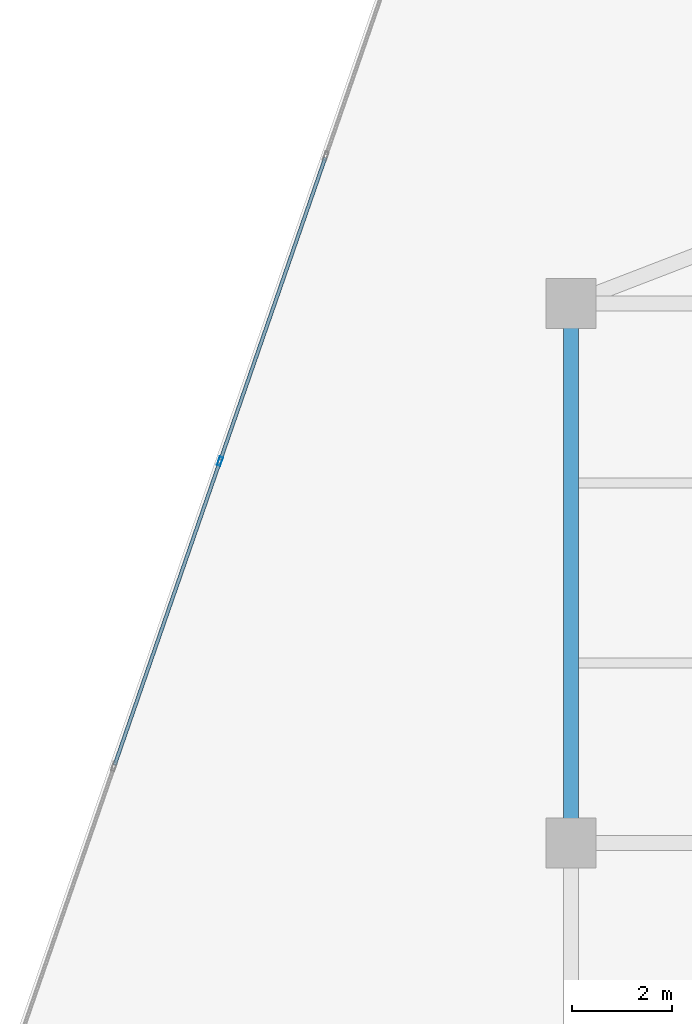
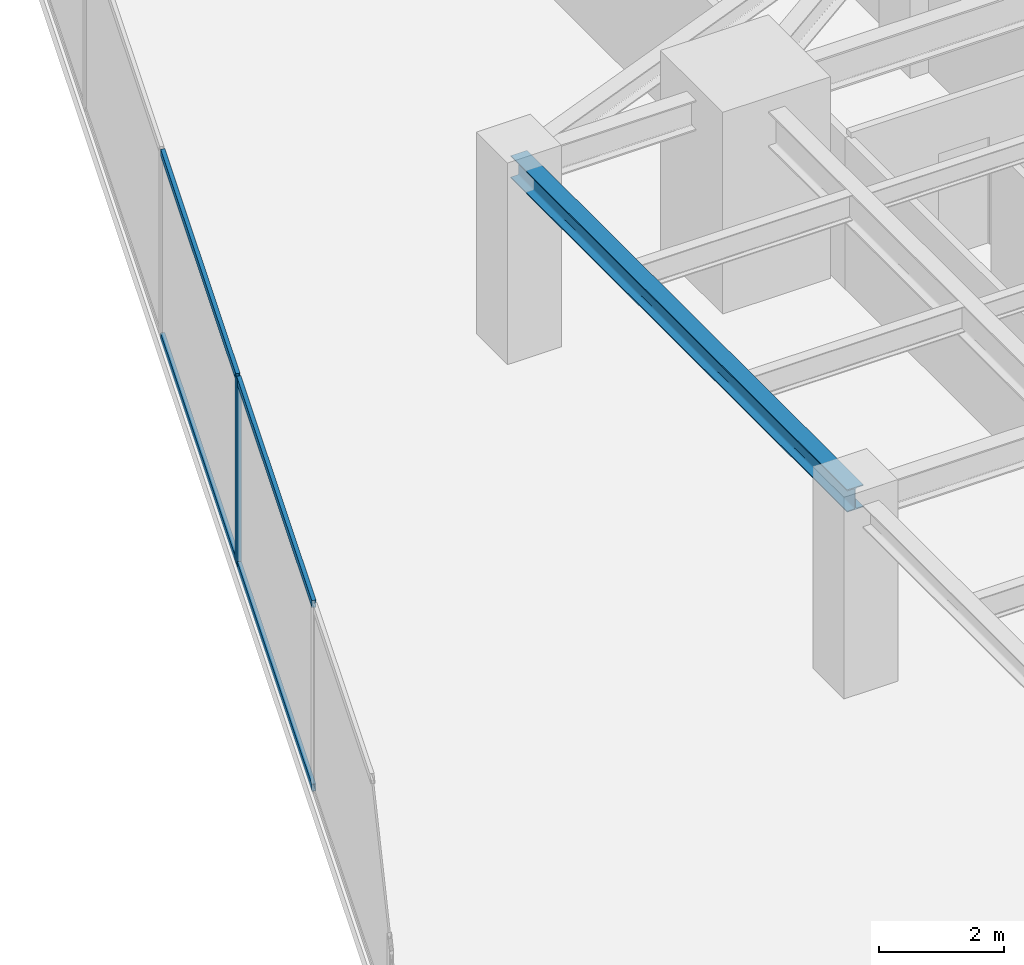
# One storey, part 14 of 27: 5 members, 1 beam, 1 element without a shape of its own.
"""IFC4 building model written with IfcOpenShell, lengths in metres."""

from ifc_helpers import new_model, si_unit, direction, frame, origin, origin_2d, place, context, subcontext, project, spatial, hollow_rectangle, i_section, extrude, source, transform, mapped, material, material_profile, profile_set, type_object, type_shapes, element, aggregate, save


model = new_model("IFC4")

# Units and contexts
model_context = context("Model", 3, precision=1e-05, world=origin(), true_north=direction((0.0, 1.0)))
body_context = subcontext(model_context, "Body", "Model", "MODEL_VIEW")
ifc_project = project(units=[si_unit("LENGTHUNIT", "METRE"), si_unit("AREAUNIT", "SQUARE_METRE"), si_unit("VOLUMEUNIT", "CUBIC_METRE"), si_unit("PLANEANGLEUNIT", "RADIAN"), si_unit("MASSUNIT", "GRAM", prefix="KILO")], contexts=[model_context])

# Site, building, storey
site_placement = place(None, origin())
site = spatial("IfcSite", under=ifc_project, at=site_placement, CompositionType="ELEMENT")
building_placement = place(site_placement, origin())
building = spatial("IfcBuilding", under=site, at=building_placement, Name="Krantzveldt Concourse Tower", CompositionType="ELEMENT")
storey_placement = place(building_placement, frame((0.0, 0.0, 121.64990234375)))
storey = spatial("IfcBuildingStorey", under=building, at=storey_placement, Name="L29", CompositionType="ELEMENT", Elevation=121.64990234375)

# Beam
ifc_material_1 = material(Name="Steel S355JR", Category="steel")
ifc_material_profile_1 = material_profile(ifc_material_1, i_section(OverallWidth=0.300048828125, OverallDepth=0.43994140625, WebThickness=0.011474609375, FlangeThickness=0.02099609375, FilletRadius=0.027099609375, at=origin_2d()), Name="Steel S355JR", Category="steel")
ifc_profile_set_1 = profile_set([ifc_material_profile_1], Name="Steel S355JR - HEA 450")
beam_type = type_object("IfcBeamType", Name="BM-SP-HEA450", PredefinedType="SPANDREL", material=ifc_profile_set_1)
shared_shape_1 = source(origin(), body_context, "Body", "SweptSolid", [
    extrude(i_section(OverallWidth=0.300048828125, OverallDepth=0.43994140625, WebThickness=0.011474609375, FlangeThickness=0.02099609375, FilletRadius=0.027099609375, at=origin_2d()), origin(), (0.0, 0.0, 1.0), 10.800048828125),
])
type_shapes(beam_type, [shared_shape_1])
beam_placement = place(storey_placement, frame((21.0, 26.699951171875, 3.4501953125), z_axis=(0.0, 1.0, 0.0), x_axis=(-1.0, 0.0, 0.0)))
element("IfcBeam", 1, at=beam_placement, inside=storey, type_object=beam_type, Name="L29 Tower Girder SP-R02", PredefinedType="SPANDREL", context=body_context, shape_type="MappedRepresentation", body=[
    mapped(shared_shape_1, transform((0.0, 0.0, 0.0), x_axis=(1.0, 0.0, 0.0), y_axis=(0.0, 1.0, 0.0), z_axis=(0.0, 0.0, 1.0), scale=1.0)),
])

# Curtain wall, members
ifc_material_2 = material(Name="Anodised aluminium 6063-T6", Category="aluminium")
curtain_wall_type = type_object("IfcCurtainWallType", Name="CW2", PredefinedType="USERDEFINED", material=ifc_material_2)
curtain_wall_placement = place(storey_placement, origin())
curtain_wall = element("IfcCurtainWall", 2, at=curtain_wall_placement, inside=storey, type_object=curtain_wall_type, Name="CW-L29-F01", ObjectType="UNITISED CURTAIN WALL", PredefinedType="USERDEFINED")
ifc_material_profile_2 = material_profile(ifc_material_2, hollow_rectangle(XDim=0.070068359375, YDim=0.179931640625, WallThickness=0.0048828125, at=origin_2d()), Name="Anodised aluminium 6063-T6", Category="aluminium")
ifc_profile_set_2 = profile_set([ifc_material_profile_2], Name="Anodised aluminium 6063-T6 - ALU-MULL 180x70x5")
member_type_1 = type_object("IfcMemberType", Name="CW-MUL-180", PredefinedType="MULLION", material=ifc_profile_set_2)
shared_shape_2 = source(origin(), body_context, "Body", "SweptSolid", [
    extrude(hollow_rectangle(XDim=0.070068359375, YDim=0.179931640625, WallThickness=0.0048828125, at=origin_2d()), origin(), (0.0, 0.0, 1.0), 3.670166015625),
])
type_shapes(member_type_1, [shared_shape_2])
member_1_placement = place(storey_placement, frame((13.9765625, 34.337158203125, 0.0), z_axis=(0.0, 0.0, 1.0), x_axis=(0.944806041446, -0.32763019404, 0.0)))
member_1 = element("IfcMember", 3, at=member_1_placement, type_object=member_type_1, Name="CW-Z12 mullion 4", PredefinedType="MULLION", context=body_context, shape_type="MappedRepresentation", body=[
    mapped(shared_shape_2, transform((0.0, 0.0, 0.0), x_axis=(1.0, 0.0, 0.0), y_axis=(0.0, 1.0, 0.0), z_axis=(0.0, 0.0, 1.0), scale=1.0)),
])
ifc_material_profile_3 = material_profile(ifc_material_2, hollow_rectangle(XDim=0.070068359375, YDim=0.139892578125, WallThickness=0.0048828125, at=origin_2d()), Name="Anodised aluminium 6063-T6", Category="aluminium")
ifc_profile_set_3 = profile_set([ifc_material_profile_3], Name="Anodised aluminium 6063-T6 - ALU-TRAN 140x70x5")
member_type_2 = type_object("IfcMemberType", Name="CW-TRN-150", PredefinedType="USERDEFINED", material=ifc_profile_set_3)
shared_shape_3 = source(origin(), body_context, "Body", "SweptSolid", [
    extrude(hollow_rectangle(XDim=0.070068359375, YDim=0.139892578125, WallThickness=0.0048828125, at=origin_2d()), origin(), (0.0, 0.0, 1.0), 6.396728515625),
])
member_2_placement = place(storey_placement, frame((16.083740234375, 40.413818359375, 0.03515625), z_axis=(-0.327620443666, -0.944809422525, 0.0), x_axis=(0.944809422525, -0.327620443666, 0.0)))
member_2 = element("IfcMember", 4, at=member_2_placement, type_object=member_type_2, Name="CW-Z12 transom 3.1", ObjectType="TRANSOM", PredefinedType="USERDEFINED", context=body_context, shape_type="MappedRepresentation", body=[
    mapped(shared_shape_3, transform((0.0, 0.0, 0.0), x_axis=(1.0, 0.0, 0.0), y_axis=(0.0, 1.0, 0.0), z_axis=(0.0, 0.0, 1.0), scale=1.0)),
])
member_3_placement = place(storey_placement, frame((16.083740234375, 40.413818359375, 3.635009765625), z_axis=(-0.327620443666, -0.944809422525, 0.0), x_axis=(0.944809422525, -0.327620443666, 0.0)))
member_3 = element("IfcMember", 5, at=member_3_placement, type_object=member_type_2, Name="CW-Z12 transom 3.2", ObjectType="TRANSOM", PredefinedType="USERDEFINED", context=body_context, shape_type="MappedRepresentation", body=[
    mapped(shared_shape_3, transform((0.0, 0.0, 0.0), x_axis=(1.0, 0.0, 0.0), y_axis=(0.0, 1.0, 0.0), z_axis=(0.0, 0.0, 1.0), scale=1.0)),
])
shared_shape_4 = source(origin(), body_context, "Body", "SweptSolid", [
    extrude(hollow_rectangle(XDim=0.070068359375, YDim=0.139892578125, WallThickness=0.0048828125, at=origin_2d()), origin(), (0.0, 0.0, 1.0), 6.396484375),
])
type_shapes(member_type_2, [shared_shape_3, shared_shape_4])
member_4_placement = place(storey_placement, frame((13.965087890625, 34.303955078125, 0.03515625), z_axis=(-0.327632258054, -0.944805325706, 0.0), x_axis=(0.944805325706, -0.327632258054, 0.0)))
member_4 = element("IfcMember", 6, at=member_4_placement, type_object=member_type_2, Name="CW-Z12 transom 4.1", ObjectType="TRANSOM", PredefinedType="USERDEFINED", context=body_context, shape_type="MappedRepresentation", body=[
    mapped(shared_shape_4, transform((0.0, 0.0, 0.0), x_axis=(1.0, 0.0, 0.0), y_axis=(0.0, 1.0, 0.0), z_axis=(0.0, 0.0, 1.0), scale=1.0)),
])
member_5_placement = place(storey_placement, frame((13.965087890625, 34.303955078125, 3.635009765625), z_axis=(-0.327632258054, -0.944805325706, 0.0), x_axis=(0.944805325706, -0.327632258054, 0.0)))
member_5 = element("IfcMember", 7, at=member_5_placement, type_object=member_type_2, Name="CW-Z12 transom 4.2", ObjectType="TRANSOM", PredefinedType="USERDEFINED", context=body_context, shape_type="MappedRepresentation", body=[
    mapped(shared_shape_4, transform((0.0, 0.0, 0.0), x_axis=(1.0, 0.0, 0.0), y_axis=(0.0, 1.0, 0.0), z_axis=(0.0, 0.0, 1.0), scale=1.0)),
])
aggregate(curtain_wall, [member_1, member_2, member_3, member_4, member_5])

save(model, "model.ifc")
